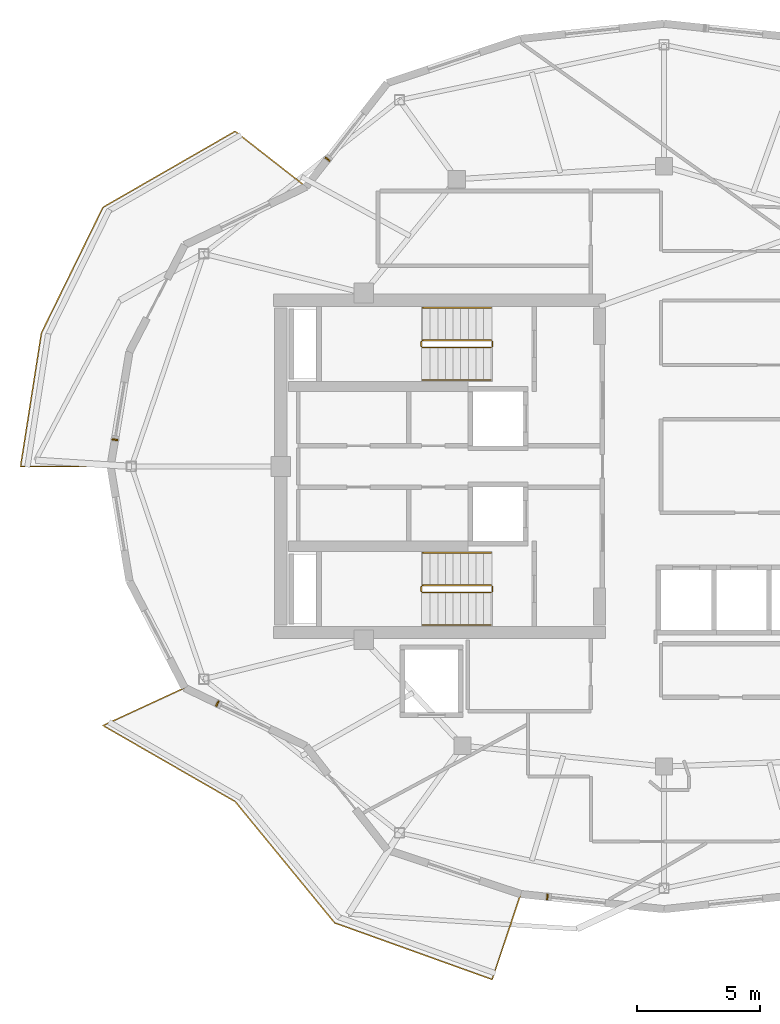
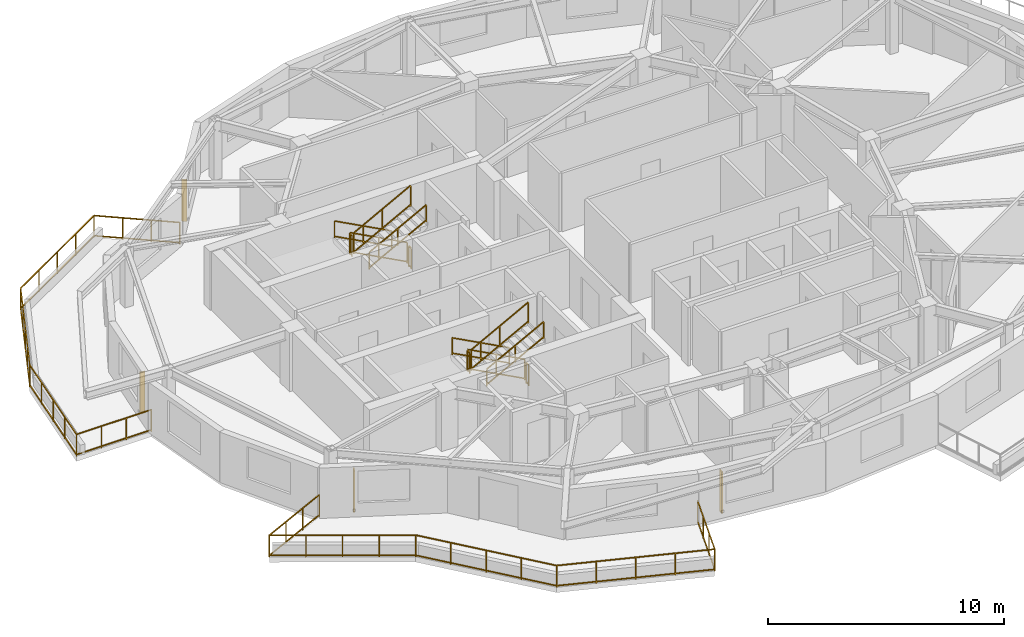
# One storey, part 8 of 9: 14 railings, 4 shading devices.
"""IFC4 building model written with IfcOpenShell, lengths in metres."""

from ifc_helpers import new_model, si_unit, direction, frame, origin, origin_2d, place, context, subcontext, project, spatial, rectangle, extrude, material, type_object, element, save


model = new_model("IFC4")

# Units and contexts
model_context = context("Model", 3, precision=1e-05, world=origin(), true_north=direction((0.0, 1.0)))
body_context = subcontext(model_context, "Body", "Model", "MODEL_VIEW")
ifc_project = project(units=[si_unit("LENGTHUNIT", "METRE"), si_unit("AREAUNIT", "SQUARE_METRE"), si_unit("VOLUMEUNIT", "CUBIC_METRE"), si_unit("PLANEANGLEUNIT", "RADIAN"), si_unit("MASSUNIT", "GRAM", prefix="KILO")], contexts=[model_context])

# Site, building, storey
site_placement = place(None, origin())
site = spatial("IfcSite", under=ifc_project, at=site_placement, CompositionType="ELEMENT")
building_placement = place(site_placement, origin())
building = spatial("IfcBuilding", under=site, at=building_placement, Name="Kolvaren Gate Tower and Convention Centre", CompositionType="ELEMENT")
storey_placement = place(building_placement, frame((0.0, 0.0, 249.199951171875)))
storey = spatial("IfcBuildingStorey", under=building, at=storey_placement, Name="L67", CompositionType="ELEMENT", Elevation=249.199951171875)

# Railings
ifc_material_1 = material(Name="Brushed Stainless Steel Grade 316L", Category="steel")
railing_type_1 = type_object("IfcRailingType", Name="ARCH-RL-GUARD-1150", PredefinedType="GUARDRAIL", material=ifc_material_1)
railing_1_placement = place(storey_placement, frame((23.10009765625, 32.1298828125, 0.1650390625)))
element("IfcRailing", 1, at=railing_1_placement, inside=storey, type_object=railing_type_1, Name="L67 ST-T1 stair guard 1", PredefinedType="GUARDRAIL", context=body_context, shape_type="SweptSolid", body=[
    extrude(rectangle(XDim=0.048095703125, YDim=0.048095703125, at=origin_2d()), frame((0.0, 0.0, 1.076171875), z_axis=(-0.882735390775, 0.0, 0.469870439454), x_axis=(0.0, -1.0, 0.0)), (0.0, 0.0, 1.0), 3.16064453125),
    extrude(rectangle(XDim=0.048095703125, YDim=0.048095703125, at=origin_2d()), frame((0.0, 0.0, 0.083984375), z_axis=(-0.882735390775, 0.0, 0.469870439454), x_axis=(0.0, -1.0, 0.0)), (0.0, 0.0, 1.0), 3.16064453125),
    extrude(rectangle(XDim=0.0419921875, YDim=0.0419921875, at=origin_2d()), origin(), (0.0, 0.0, 1.0), 1.050048828125),
    extrude(rectangle(XDim=0.0419921875, YDim=0.0419921875, at=origin_2d()), frame((-2.7900390625, 0.0, 1.485107421875)), (0.0, 0.0, 1.0), 1.050048828125),
    extrude(rectangle(XDim=0.0419921875, YDim=0.0419921875, at=origin_2d()), frame((-1.39501953125, 0.0, 0.74267578125)), (0.0, 0.0, 1.0), 1.050048828125),
])
railing_2_placement = place(storey_placement, frame((20.260009765625, 32.080078125, 1.650146484375)))
element("IfcRailing", 2, at=railing_2_placement, inside=storey, type_object=railing_type_1, Name="L67 ST-T1 stair guard 2", PredefinedType="GUARDRAIL", context=body_context, shape_type="SweptSolid", body=[
    extrude(rectangle(XDim=0.048095703125, YDim=0.048095703125, at=origin_2d()), frame((0.0, 0.0, 1.076171875), z_axis=(0.0, -1.0, 0.0), x_axis=(1.0, 0.0, 0.0)), (0.0, 0.0, 1.0), 0.2001953125),
    extrude(rectangle(XDim=0.048095703125, YDim=0.048095703125, at=origin_2d()), frame((0.0, 0.0, 0.083984375), z_axis=(0.0, -1.0, 0.0), x_axis=(1.0, 0.0, 0.0)), (0.0, 0.0, 1.0), 0.2001953125),
    extrude(rectangle(XDim=0.0419921875, YDim=0.0419921875, at=origin_2d()), origin(), (0.0, 0.0, 1.0), 1.050048828125),
    extrude(rectangle(XDim=0.0419921875, YDim=0.0419921875, at=origin_2d()), frame((0.0, -0.2001953125, 0.0)), (0.0, 0.0, 1.0), 1.050048828125),
])
railing_3_placement = place(storey_placement, frame((20.31005859375, 31.830078125, 1.81494140625)))
element("IfcRailing", 3, at=railing_3_placement, inside=storey, type_object=railing_type_1, Name="L67 ST-T1 stair guard 3", PredefinedType="GUARDRAIL", context=body_context, shape_type="SweptSolid", body=[
    extrude(rectangle(XDim=0.048095703125, YDim=0.048095703125, at=origin_2d()), frame((0.0, 0.0, 1.076171875), z_axis=(0.882735390775, 0.0, 0.469870439454), x_axis=(0.0, 1.0, 0.0)), (0.0, 0.0, 1.0), 3.16064453125),
    extrude(rectangle(XDim=0.048095703125, YDim=0.048095703125, at=origin_2d()), frame((0.0, 0.0, 0.083984375), z_axis=(0.882735390775, 0.0, 0.469870439454), x_axis=(0.0, 1.0, 0.0)), (0.0, 0.0, 1.0), 3.16064453125),
    extrude(rectangle(XDim=0.0419921875, YDim=0.0419921875, at=origin_2d()), origin(), (0.0, 0.0, 1.0), 1.050048828125),
    extrude(rectangle(XDim=0.0419921875, YDim=0.0419921875, at=origin_2d()), frame((2.7900390625, 0.0, 1.485107421875)), (0.0, 0.0, 1.0), 1.050048828125),
    extrude(rectangle(XDim=0.0419921875, YDim=0.0419921875, at=origin_2d()), frame((1.39501953125, 0.0, 0.74267578125)), (0.0, 0.0, 1.0), 1.050048828125),
])
railing_4_placement = place(storey_placement, frame((23.14990234375, 32.080078125, 0.0)))
element("IfcRailing", 4, at=railing_4_placement, inside=storey, type_object=railing_type_1, Name="L67 ST-T1 stair guard 4", PredefinedType="GUARDRAIL", context=body_context, shape_type="SweptSolid", body=[
    extrude(rectangle(XDim=0.048095703125, YDim=0.048095703125, at=origin_2d()), frame((0.0, 0.0, 1.076171875), z_axis=(0.0, -1.0, 0.0), x_axis=(1.0, 0.0, 0.0)), (0.0, 0.0, 1.0), 0.2001953125),
    extrude(rectangle(XDim=0.048095703125, YDim=0.048095703125, at=origin_2d()), frame((0.0, 0.0, 0.083984375), z_axis=(0.0, -1.0, 0.0), x_axis=(1.0, 0.0, 0.0)), (0.0, 0.0, 1.0), 0.2001953125),
    extrude(rectangle(XDim=0.0419921875, YDim=0.0419921875, at=origin_2d()), origin(), (0.0, 0.0, 1.0), 1.050048828125),
    extrude(rectangle(XDim=0.0419921875, YDim=0.0419921875, at=origin_2d()), frame((0.0, -0.2001953125, 0.0)), (0.0, 0.0, 1.0), 1.050048828125),
])
railing_5_placement = place(storey_placement, frame((23.10009765625, 22.169921875, 0.1650390625)))
element("IfcRailing", 5, at=railing_5_placement, inside=storey, type_object=railing_type_1, Name="L67 ST-T2 stair guard 1", PredefinedType="GUARDRAIL", context=body_context, shape_type="SweptSolid", body=[
    extrude(rectangle(XDim=0.048095703125, YDim=0.048095703125, at=origin_2d()), frame((0.0, 0.0, 1.076171875), z_axis=(-0.882735390775, 0.0, 0.469870439454), x_axis=(0.0, -1.0, 0.0)), (0.0, 0.0, 1.0), 3.16064453125),
    extrude(rectangle(XDim=0.048095703125, YDim=0.048095703125, at=origin_2d()), frame((0.0, 0.0, 0.083984375), z_axis=(-0.882735390775, 0.0, 0.469870439454), x_axis=(0.0, -1.0, 0.0)), (0.0, 0.0, 1.0), 3.16064453125),
    extrude(rectangle(XDim=0.0419921875, YDim=0.0419921875, at=origin_2d()), origin(), (0.0, 0.0, 1.0), 1.050048828125),
    extrude(rectangle(XDim=0.0419921875, YDim=0.0419921875, at=origin_2d()), frame((-2.7900390625, 0.0, 1.485107421875)), (0.0, 0.0, 1.0), 1.050048828125),
    extrude(rectangle(XDim=0.0419921875, YDim=0.0419921875, at=origin_2d()), frame((-1.39501953125, 0.0, 0.74267578125)), (0.0, 0.0, 1.0), 1.050048828125),
])
railing_6_placement = place(storey_placement, frame((20.260009765625, 22.1201171875, 1.650146484375)))
element("IfcRailing", 6, at=railing_6_placement, inside=storey, type_object=railing_type_1, Name="L67 ST-T2 stair guard 2", PredefinedType="GUARDRAIL", context=body_context, shape_type="SweptSolid", body=[
    extrude(rectangle(XDim=0.048095703125, YDim=0.048095703125, at=origin_2d()), frame((0.0, 0.0, 1.076171875), z_axis=(0.0, -1.0, 0.0), x_axis=(1.0, 0.0, 0.0)), (0.0, 0.0, 1.0), 0.2001953125),
    extrude(rectangle(XDim=0.048095703125, YDim=0.048095703125, at=origin_2d()), frame((0.0, 0.0, 0.083984375), z_axis=(0.0, -1.0, 0.0), x_axis=(1.0, 0.0, 0.0)), (0.0, 0.0, 1.0), 0.2001953125),
    extrude(rectangle(XDim=0.0419921875, YDim=0.0419921875, at=origin_2d()), origin(), (0.0, 0.0, 1.0), 1.050048828125),
    extrude(rectangle(XDim=0.0419921875, YDim=0.0419921875, at=origin_2d()), frame((0.0, -0.2001953125, 0.0)), (0.0, 0.0, 1.0), 1.050048828125),
])
railing_7_placement = place(storey_placement, frame((20.31005859375, 21.8701171875, 1.81494140625)))
element("IfcRailing", 7, at=railing_7_placement, inside=storey, type_object=railing_type_1, Name="L67 ST-T2 stair guard 3", PredefinedType="GUARDRAIL", context=body_context, shape_type="SweptSolid", body=[
    extrude(rectangle(XDim=0.048095703125, YDim=0.048095703125, at=origin_2d()), frame((0.0, 0.0, 1.076171875), z_axis=(0.882735390775, 0.0, 0.469870439454), x_axis=(0.0, 1.0, 0.0)), (0.0, 0.0, 1.0), 3.16064453125),
    extrude(rectangle(XDim=0.048095703125, YDim=0.048095703125, at=origin_2d()), frame((0.0, 0.0, 0.083984375), z_axis=(0.882735390775, 0.0, 0.469870439454), x_axis=(0.0, 1.0, 0.0)), (0.0, 0.0, 1.0), 3.16064453125),
    extrude(rectangle(XDim=0.0419921875, YDim=0.0419921875, at=origin_2d()), origin(), (0.0, 0.0, 1.0), 1.050048828125),
    extrude(rectangle(XDim=0.0419921875, YDim=0.0419921875, at=origin_2d()), frame((2.7900390625, 0.0, 1.485107421875)), (0.0, 0.0, 1.0), 1.050048828125),
    extrude(rectangle(XDim=0.0419921875, YDim=0.0419921875, at=origin_2d()), frame((1.39501953125, 0.0, 0.74267578125)), (0.0, 0.0, 1.0), 1.050048828125),
])
railing_8_placement = place(storey_placement, frame((23.14990234375, 22.1201171875, 0.0)))
element("IfcRailing", 8, at=railing_8_placement, inside=storey, type_object=railing_type_1, Name="L67 ST-T2 stair guard 4", PredefinedType="GUARDRAIL", context=body_context, shape_type="SweptSolid", body=[
    extrude(rectangle(XDim=0.048095703125, YDim=0.048095703125, at=origin_2d()), frame((0.0, 0.0, 1.076171875), z_axis=(0.0, -1.0, 0.0), x_axis=(1.0, 0.0, 0.0)), (0.0, 0.0, 1.0), 0.2001953125),
    extrude(rectangle(XDim=0.048095703125, YDim=0.048095703125, at=origin_2d()), frame((0.0, 0.0, 0.083984375), z_axis=(0.0, -1.0, 0.0), x_axis=(1.0, 0.0, 0.0)), (0.0, 0.0, 1.0), 0.2001953125),
    extrude(rectangle(XDim=0.0419921875, YDim=0.0419921875, at=origin_2d()), origin(), (0.0, 0.0, 1.0), 1.050048828125),
    extrude(rectangle(XDim=0.0419921875, YDim=0.0419921875, at=origin_2d()), frame((0.0, -0.2001953125, 0.0)), (0.0, 0.0, 1.0), 1.050048828125),
])
railing_9_placement = place(storey_placement, frame((15.57275390625, 38.370361328125, 0.0)))
element("IfcRailing", 9, at=railing_9_placement, inside=storey, type_object=railing_type_1, Name="Tower L67 Terrace Perimeter Guardrail GR-2", PredefinedType="GUARDRAIL", context=body_context, shape_type="SweptSolid", body=[
    extrude(rectangle(XDim=0.048095703125, YDim=0.048095703125, at=origin_2d()), frame((-0.022216796875, 0.017333984375, 1.1259765625), z_axis=(-0.787988976981, 0.61568934712, 0.0), x_axis=(-0.61568934712, -0.787988976981, 0.0)), (0.0, 0.0, 1.0), 3.60400390625),
    extrude(rectangle(XDim=0.048095703125, YDim=0.048095703125, at=origin_2d()), frame((-0.022216796875, 0.017333984375, 0.083984375), z_axis=(-0.787988976981, 0.61568934712, 0.0), x_axis=(-0.61568934712, -0.787988976981, 0.0)), (0.0, 0.0, 1.0), 3.60400390625),
    extrude(rectangle(XDim=0.048095703125, YDim=0.048095703125, at=origin_2d()), frame((-2.908447265625, 2.239501953125, 1.1259765625), z_axis=(-0.866894385595, -0.498491849706, 0.0), x_axis=(0.498491849706, -0.866894385595, 0.0)), (0.0, 0.0, 1.0), 6.140869140625),
    extrude(rectangle(XDim=0.048095703125, YDim=0.048095703125, at=origin_2d()), frame((-2.908447265625, 2.239501953125, 0.083984375), z_axis=(-0.866894385595, -0.498491849706, 0.0), x_axis=(0.498491849706, -0.866894385595, 0.0)), (0.0, 0.0, 1.0), 6.140869140625),
    extrude(rectangle(XDim=0.048095703125, YDim=0.048095703125, at=origin_2d()), frame((-8.2685546875, -0.86083984375, 1.1259765625), z_axis=(-0.440058847499, -0.897968936399, 0.0), x_axis=(0.897968936399, -0.440058847499, 0.0)), (0.0, 0.0, 1.0), 5.63330078125),
    extrude(rectangle(XDim=0.048095703125, YDim=0.048095703125, at=origin_2d()), frame((-8.2685546875, -0.86083984375, 0.083984375), z_axis=(-0.440058847499, -0.897968936399, 0.0), x_axis=(0.897968936399, -0.440058847499, 0.0)), (0.0, 0.0, 1.0), 5.63330078125),
    extrude(rectangle(XDim=0.048095703125, YDim=0.048095703125, at=origin_2d()), frame((-10.76416015625, -5.972412109375, 1.1259765625), z_axis=(-0.1543985789, -0.988008643097, 0.0), x_axis=(0.988008643097, -0.1543985789, 0.0)), (0.0, 0.0, 1.0), 5.435546875),
    extrude(rectangle(XDim=0.048095703125, YDim=0.048095703125, at=origin_2d()), frame((-10.76416015625, -5.972412109375, 0.083984375), z_axis=(-0.1543985789, -0.988008643097, 0.0), x_axis=(0.988008643097, -0.1543985789, 0.0)), (0.0, 0.0, 1.0), 5.435546875),
    extrude(rectangle(XDim=0.048095703125, YDim=0.048095703125, at=origin_2d()), frame((-11.57958984375, -11.370361328125, 1.1259765625), z_axis=(1.0, 0.0, 0.0), x_axis=(0.0, 1.0, 0.0)), (0.0, 0.0, 1.0), 3.603759765625),
    extrude(rectangle(XDim=0.048095703125, YDim=0.048095703125, at=origin_2d()), frame((-11.57958984375, -11.370361328125, 0.083984375), z_axis=(1.0, 0.0, 0.0), x_axis=(0.0, 1.0, 0.0)), (0.0, 0.0, 1.0), 3.603759765625),
    extrude(rectangle(XDim=0.0419921875, YDim=0.0419921875, at=origin_2d()), origin(), (0.0, 0.0, 1.0), 1.14990234375),
    extrude(rectangle(XDim=0.0419921875, YDim=0.0419921875, at=origin_2d()), frame((-2.884033203125, 2.25341796875, 0.0)), (0.0, 0.0, 1.0), 1.14990234375),
    extrude(rectangle(XDim=0.0419921875, YDim=0.0419921875, at=origin_2d()), frame((-0.96142578125, 0.751220703125, 0.0)), (0.0, 0.0, 1.0), 1.099853515625),
    extrude(rectangle(XDim=0.0419921875, YDim=0.0419921875, at=origin_2d()), frame((-1.922607421875, 1.502197265625, 0.0)), (0.0, 0.0, 1.0), 1.099853515625),
    extrude(rectangle(XDim=0.0419921875, YDim=0.0419921875, at=origin_2d()), frame((-8.256103515625, -0.835693359375, 0.0)), (0.0, 0.0, 1.0), 1.14990234375),
    extrude(rectangle(XDim=0.0419921875, YDim=0.0419921875, at=origin_2d()), frame((-4.22705078125, 1.481201171875, 0.0)), (0.0, 0.0, 1.0), 1.099853515625),
    extrude(rectangle(XDim=0.0419921875, YDim=0.0419921875, at=origin_2d()), frame((-5.570068359375, 0.708984375, 0.0)), (0.0, 0.0, 1.0), 1.099853515625),
    extrude(rectangle(XDim=0.0419921875, YDim=0.0419921875, at=origin_2d()), frame((-6.9130859375, -0.0634765625, 0.0)), (0.0, 0.0, 1.0), 1.099853515625),
    extrude(rectangle(XDim=0.0419921875, YDim=0.0419921875, at=origin_2d()), frame((-10.759765625, -5.944580078125, 0.0)), (0.0, 0.0, 1.0), 1.14990234375),
    extrude(rectangle(XDim=0.0419921875, YDim=0.0419921875, at=origin_2d()), frame((-8.882080078125, -2.11279296875, 0.0)), (0.0, 0.0, 1.0), 1.099853515625),
    extrude(rectangle(XDim=0.0419921875, YDim=0.0419921875, at=origin_2d()), frame((-9.5078125, -3.39013671875, 0.0)), (0.0, 0.0, 1.0), 1.099853515625),
    extrude(rectangle(XDim=0.0419921875, YDim=0.0419921875, at=origin_2d()), frame((-10.1337890625, -4.66748046875, 0.0)), (0.0, 0.0, 1.0), 1.099853515625),
    extrude(rectangle(XDim=0.0419921875, YDim=0.0419921875, at=origin_2d()), frame((-11.607666015625, -11.370361328125, 0.0)), (0.0, 0.0, 1.0), 1.14990234375),
    extrude(rectangle(XDim=0.0419921875, YDim=0.0419921875, at=origin_2d()), frame((-10.9716796875, -7.301025390625, 0.0)), (0.0, 0.0, 1.0), 1.099853515625),
    extrude(rectangle(XDim=0.0419921875, YDim=0.0419921875, at=origin_2d()), frame((-11.18359375, -8.657470703125, 0.0)), (0.0, 0.0, 1.0), 1.099853515625),
    extrude(rectangle(XDim=0.0419921875, YDim=0.0419921875, at=origin_2d()), frame((-11.395751953125, -10.013916015625, 0.0)), (0.0, 0.0, 1.0), 1.099853515625),
    extrude(rectangle(XDim=0.0419921875, YDim=0.0419921875, at=origin_2d()), frame((-7.94775390625, -11.370361328125, 0.0)), (0.0, 0.0, 1.0), 1.14990234375),
    extrude(rectangle(XDim=0.0419921875, YDim=0.0419921875, at=origin_2d()), frame((-10.3876953125, -11.370361328125, 0.0)), (0.0, 0.0, 1.0), 1.099853515625),
    extrude(rectangle(XDim=0.0419921875, YDim=0.0419921875, at=origin_2d()), frame((-9.167724609375, -11.370361328125, 0.0)), (0.0, 0.0, 1.0), 1.099853515625),
])
railing_10_placement = place(storey_placement, frame((10.639404296875, 18.0, 0.0)))
element("IfcRailing", 10, at=railing_10_placement, inside=storey, type_object=railing_type_1, Name="Tower L67 Terrace Perimeter Guardrail GR-3", PredefinedType="GUARDRAIL", context=body_context, shape_type="SweptSolid", body=[
    extrude(rectangle(XDim=0.048095703125, YDim=0.048095703125, at=origin_2d()), frame((-0.025390625, -0.01171875, 1.1259765625), z_axis=(-0.907846116663, -0.419303503993, 0.0), x_axis=(0.419303503993, -0.907846116663, 0.0)), (0.0, 0.0, 1.0), 3.60400390625),
    extrude(rectangle(XDim=0.048095703125, YDim=0.048095703125, at=origin_2d()), frame((-0.025390625, -0.01171875, 0.083984375), z_axis=(-0.907846116663, -0.419303503993, 0.0), x_axis=(0.419303503993, -0.907846116663, 0.0)), (0.0, 0.0, 1.0), 3.60400390625),
    extrude(rectangle(XDim=0.048095703125, YDim=0.048095703125, at=origin_2d()), frame((-3.29833984375, -1.548583984375, 1.1259765625), z_axis=(0.866894385595, -0.498491849706, 0.0), x_axis=(0.498491849706, 0.866894385595, 0.0)), (0.0, 0.0, 1.0), 6.140869140625),
    extrude(rectangle(XDim=0.048095703125, YDim=0.048095703125, at=origin_2d()), frame((-3.29833984375, -1.548583984375, 0.083984375), z_axis=(0.866894385595, -0.498491849706, 0.0), x_axis=(0.498491849706, 0.866894385595, 0.0)), (0.0, 0.0, 1.0), 6.140869140625),
    extrude(rectangle(XDim=0.048095703125, YDim=0.048095703125, at=origin_2d()), frame((2.067138671875, -4.6455078125, 1.1259765625), z_axis=(0.634050293942, -0.773291810866, 0.0), x_axis=(0.773291810866, 0.634050293942, 0.0)), (0.0, 0.0, 1.0), 6.322509765625),
    extrude(rectangle(XDim=0.048095703125, YDim=0.048095703125, at=origin_2d()), frame((2.067138671875, -4.6455078125, 0.083984375), z_axis=(0.634050293942, -0.773291810866, 0.0), x_axis=(0.773291810866, 0.634050293942, 0.0)), (0.0, 0.0, 1.0), 6.322509765625),
    extrude(rectangle(XDim=0.048095703125, YDim=0.048095703125, at=origin_2d()), frame((6.1201171875, -9.56591796875, 1.1259765625), z_axis=(0.941139090914, -0.338019543152, 0.0), x_axis=(0.338019543152, 0.941139090914, 0.0)), (0.0, 0.0, 1.0), 6.75048828125),
    extrude(rectangle(XDim=0.048095703125, YDim=0.048095703125, at=origin_2d()), frame((6.1201171875, -9.56591796875, 0.083984375), z_axis=(0.941139090914, -0.338019543152, 0.0), x_axis=(0.338019543152, 0.941139090914, 0.0)), (0.0, 0.0, 1.0), 6.75048828125),
    extrude(rectangle(XDim=0.048095703125, YDim=0.048095703125, at=origin_2d()), frame((12.508544921875, -11.83056640625, 1.1259765625), z_axis=(0.317588247294, 0.948228719867, 0.0), x_axis=(-0.948228719867, 0.317588247294, 0.0)), (0.0, 0.0, 1.0), 3.603759765625),
    extrude(rectangle(XDim=0.048095703125, YDim=0.048095703125, at=origin_2d()), frame((12.508544921875, -11.83056640625, 0.083984375), z_axis=(0.317588247294, 0.948228719867, 0.0), x_axis=(-0.948228719867, 0.317588247294, 0.0)), (0.0, 0.0, 1.0), 3.603759765625),
    extrude(rectangle(XDim=0.0419921875, YDim=0.0419921875, at=origin_2d()), origin(), (0.0, 0.0, 1.0), 1.14990234375),
    extrude(rectangle(XDim=0.0419921875, YDim=0.0419921875, at=origin_2d()), frame((-3.32275390625, -1.53466796875, 0.0)), (0.0, 0.0, 1.0), 1.14990234375),
    extrude(rectangle(XDim=0.0419921875, YDim=0.0419921875, at=origin_2d()), frame((-1.107666015625, -0.511474609375, 0.0)), (0.0, 0.0, 1.0), 1.099853515625),
    extrude(rectangle(XDim=0.0419921875, YDim=0.0419921875, at=origin_2d()), frame((-2.215087890625, -1.023193359375, 0.0)), (0.0, 0.0, 1.0), 1.099853515625),
    extrude(rectangle(XDim=0.0419921875, YDim=0.0419921875, at=origin_2d()), frame((2.04931640625, -4.623779296875, 0.0)), (0.0, 0.0, 1.0), 1.14990234375),
    extrude(rectangle(XDim=0.0419921875, YDim=0.0419921875, at=origin_2d()), frame((-1.979736328125, -2.306884765625, 0.0)), (0.0, 0.0, 1.0), 1.099853515625),
    extrude(rectangle(XDim=0.0419921875, YDim=0.0419921875, at=origin_2d()), frame((-0.63671875, -3.0791015625, 0.0)), (0.0, 0.0, 1.0), 1.099853515625),
    extrude(rectangle(XDim=0.0419921875, YDim=0.0419921875, at=origin_2d()), frame((0.706298828125, -3.8515625, 0.0)), (0.0, 0.0, 1.0), 1.099853515625),
    extrude(rectangle(XDim=0.0419921875, YDim=0.0419921875, at=origin_2d()), frame((6.09375, -9.556396484375, 0.0)), (0.0, 0.0, 1.0), 1.14990234375),
    extrude(rectangle(XDim=0.0419921875, YDim=0.0419921875, at=origin_2d()), frame((3.060546875, -5.85693359375, 0.0)), (0.0, 0.0, 1.0), 1.099853515625),
    extrude(rectangle(XDim=0.0419921875, YDim=0.0419921875, at=origin_2d()), frame((4.071533203125, -7.090087890625, 0.0)), (0.0, 0.0, 1.0), 1.099853515625),
    extrude(rectangle(XDim=0.0419921875, YDim=0.0419921875, at=origin_2d()), frame((5.08251953125, -8.3232421875, 0.0)), (0.0, 0.0, 1.0), 1.099853515625),
    extrude(rectangle(XDim=0.0419921875, YDim=0.0419921875, at=origin_2d()), frame((12.499755859375, -11.857177734375, 0.0)), (0.0, 0.0, 1.0), 1.14990234375),
    extrude(rectangle(XDim=0.0419921875, YDim=0.0419921875, at=origin_2d()), frame((7.6953125, -10.131591796875, 0.0)), (0.0, 0.0, 1.0), 1.099853515625),
    extrude(rectangle(XDim=0.0419921875, YDim=0.0419921875, at=origin_2d()), frame((9.296875, -10.706787109375, 0.0)), (0.0, 0.0, 1.0), 1.099853515625),
    extrude(rectangle(XDim=0.0419921875, YDim=0.0419921875, at=origin_2d()), frame((10.898193359375, -11.281982421875, 0.0)), (0.0, 0.0, 1.0), 1.099853515625),
    extrude(rectangle(XDim=0.0419921875, YDim=0.0419921875, at=origin_2d()), frame((13.662109375, -8.38671875, 0.0)), (0.0, 0.0, 1.0), 1.14990234375),
    extrude(rectangle(XDim=0.0419921875, YDim=0.0419921875, at=origin_2d()), frame((12.88720703125, -10.700439453125, 0.0)), (0.0, 0.0, 1.0), 1.099853515625),
    extrude(rectangle(XDim=0.0419921875, YDim=0.0419921875, at=origin_2d()), frame((13.274658203125, -9.54345703125, 0.0)), (0.0, 0.0, 1.0), 1.099853515625),
])
railing_type_2 = type_object("IfcRailingType", Name="ARCH-RL-HANDRAIL-920", PredefinedType="HANDRAIL", material=ifc_material_1)
railing_11_placement = place(storey_placement, frame((23.10009765625, 33.449951171875, 0.1650390625)))
element("IfcRailing", 11, at=railing_11_placement, inside=storey, type_object=railing_type_2, Name="L67 ST-T1 stair handrail 1", PredefinedType="HANDRAIL", context=body_context, shape_type="SweptSolid", body=[
    extrude(rectangle(XDim=0.048095703125, YDim=0.048095703125, at=origin_2d()), frame((0.0, 0.0, 0.8759765625), z_axis=(-0.882735390775, 0.0, 0.469870439454), x_axis=(0.0, -1.0, 0.0)), (0.0, 0.0, 1.0), 3.16064453125),
    extrude(rectangle(XDim=0.048095703125, YDim=0.048095703125, at=origin_2d()), frame((0.0, 0.0, 0.083984375), z_axis=(-0.882735390775, 0.0, 0.469870439454), x_axis=(0.0, -1.0, 0.0)), (0.0, 0.0, 1.0), 3.16064453125),
    extrude(rectangle(XDim=0.0419921875, YDim=0.0419921875, at=origin_2d()), origin(), (0.0, 0.0, 1.0), 0.849853515625),
    extrude(rectangle(XDim=0.0419921875, YDim=0.0419921875, at=origin_2d()), frame((-2.7900390625, 0.0, 1.485107421875)), (0.0, 0.0, 1.0), 0.849853515625),
    extrude(rectangle(XDim=0.0419921875, YDim=0.0419921875, at=origin_2d()), frame((-1.39501953125, 0.0, 0.74267578125)), (0.0, 0.0, 1.0), 0.849853515625),
])
railing_12_placement = place(storey_placement, frame((20.31005859375, 30.510009765625, 1.81494140625)))
element("IfcRailing", 12, at=railing_12_placement, inside=storey, type_object=railing_type_2, Name="L67 ST-T1 stair handrail 2", PredefinedType="HANDRAIL", context=body_context, shape_type="SweptSolid", body=[
    extrude(rectangle(XDim=0.048095703125, YDim=0.048095703125, at=origin_2d()), frame((0.0, 0.0, 0.8759765625), z_axis=(0.882735390775, 0.0, 0.469870439454), x_axis=(0.0, 1.0, 0.0)), (0.0, 0.0, 1.0), 3.16064453125),
    extrude(rectangle(XDim=0.048095703125, YDim=0.048095703125, at=origin_2d()), frame((0.0, 0.0, 0.083984375), z_axis=(0.882735390775, 0.0, 0.469870439454), x_axis=(0.0, 1.0, 0.0)), (0.0, 0.0, 1.0), 3.16064453125),
    extrude(rectangle(XDim=0.0419921875, YDim=0.0419921875, at=origin_2d()), origin(), (0.0, 0.0, 1.0), 0.849853515625),
    extrude(rectangle(XDim=0.0419921875, YDim=0.0419921875, at=origin_2d()), frame((2.7900390625, 0.0, 1.485107421875)), (0.0, 0.0, 1.0), 0.849853515625),
    extrude(rectangle(XDim=0.0419921875, YDim=0.0419921875, at=origin_2d()), frame((1.39501953125, 0.0, 0.74267578125)), (0.0, 0.0, 1.0), 0.849853515625),
])
railing_13_placement = place(storey_placement, frame((23.10009765625, 23.489990234375, 0.1650390625)))
element("IfcRailing", 13, at=railing_13_placement, inside=storey, type_object=railing_type_2, Name="L67 ST-T2 stair handrail 1", PredefinedType="HANDRAIL", context=body_context, shape_type="SweptSolid", body=[
    extrude(rectangle(XDim=0.048095703125, YDim=0.048095703125, at=origin_2d()), frame((0.0, 0.0, 0.8759765625), z_axis=(-0.882735390775, 0.0, 0.469870439454), x_axis=(0.0, -1.0, 0.0)), (0.0, 0.0, 1.0), 3.16064453125),
    extrude(rectangle(XDim=0.048095703125, YDim=0.048095703125, at=origin_2d()), frame((0.0, 0.0, 0.083984375), z_axis=(-0.882735390775, 0.0, 0.469870439454), x_axis=(0.0, -1.0, 0.0)), (0.0, 0.0, 1.0), 3.16064453125),
    extrude(rectangle(XDim=0.0419921875, YDim=0.0419921875, at=origin_2d()), origin(), (0.0, 0.0, 1.0), 0.849853515625),
    extrude(rectangle(XDim=0.0419921875, YDim=0.0419921875, at=origin_2d()), frame((-2.7900390625, 0.0, 1.485107421875)), (0.0, 0.0, 1.0), 0.849853515625),
    extrude(rectangle(XDim=0.0419921875, YDim=0.0419921875, at=origin_2d()), frame((-1.39501953125, 0.0, 0.74267578125)), (0.0, 0.0, 1.0), 0.849853515625),
])
railing_14_placement = place(storey_placement, frame((20.31005859375, 20.550048828125, 1.81494140625)))
element("IfcRailing", 14, at=railing_14_placement, inside=storey, type_object=railing_type_2, Name="L67 ST-T2 stair handrail 2", PredefinedType="HANDRAIL", context=body_context, shape_type="SweptSolid", body=[
    extrude(rectangle(XDim=0.048095703125, YDim=0.048095703125, at=origin_2d()), frame((0.0, 0.0, 0.8759765625), z_axis=(0.882735390775, 0.0, 0.469870439454), x_axis=(0.0, 1.0, 0.0)), (0.0, 0.0, 1.0), 3.16064453125),
    extrude(rectangle(XDim=0.048095703125, YDim=0.048095703125, at=origin_2d()), frame((0.0, 0.0, 0.083984375), z_axis=(0.882735390775, 0.0, 0.469870439454), x_axis=(0.0, 1.0, 0.0)), (0.0, 0.0, 1.0), 3.16064453125),
    extrude(rectangle(XDim=0.0419921875, YDim=0.0419921875, at=origin_2d()), origin(), (0.0, 0.0, 1.0), 0.849853515625),
    extrude(rectangle(XDim=0.0419921875, YDim=0.0419921875, at=origin_2d()), frame((2.7900390625, 0.0, 1.485107421875)), (0.0, 0.0, 1.0), 0.849853515625),
    extrude(rectangle(XDim=0.0419921875, YDim=0.0419921875, at=origin_2d()), frame((1.39501953125, 0.0, 0.74267578125)), (0.0, 0.0, 1.0), 0.849853515625),
])

# Shading devices
ifc_material_2 = material(Name="Kiln-Fired Bogota Terracotta Ceramic Louvre Profile", Category="masonry")
shading_device_type = type_object("IfcShadingDeviceType", Name="ARCH-SHD-FIN-180", PredefinedType="JALOUSIE", material=ifc_material_2)
for number, where, z_axis, x_axis, name in (
    (15, (16.447509765625, 39.487548828125, 0.22021484375), (0.0, 0.0, 1.0), (0.616435493395, 0.787405411769, 0.0), "Ceramic Vertical Brise-Soleil Fin FN-L67-08"),
    (16, (7.8037109375, 28.08642578125, 0.22021484375), (0.0, 0.0, 1.0), (0.162389178836, 0.986726788223, 0.0), "Ceramic Vertical Brise-Soleil Fin FN-L67-11"),
    (17, (11.970703125, 17.3603515625, 0.22021484375), (0.0, 0.0, 1.0), (0.901357634097, -0.433075530889, 0.0), "Ceramic Vertical Brise-Soleil Fin FN-L67-14"),
    (18, (25.385498046875, 9.4990234375, 0.22021484375), (0.0, 0.0, 1.0), (0.994499981166, -0.104736753152, 0.0), "Ceramic Vertical Brise-Soleil Fin FN-L67-17"),
):
    element("IfcShadingDevice", number, at=place(storey_placement, frame(where, z_axis=z_axis, x_axis=x_axis)), inside=storey, type_object=shading_device_type, Name=name, PredefinedType="JALOUSIE", context=body_context, shape_type="SweptSolid", body=[
        extrude(rectangle(XDim=0.06005859375, YDim=0.239990234375, at=origin_2d()), origin(), (0.0, 0.0, 1.0), 2.14990234375),
    ])

save(model, "model.ifc")
